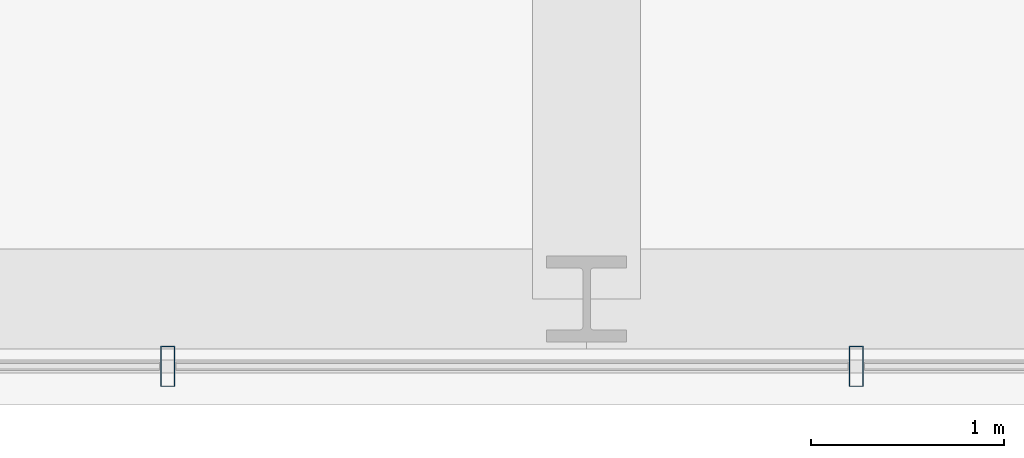
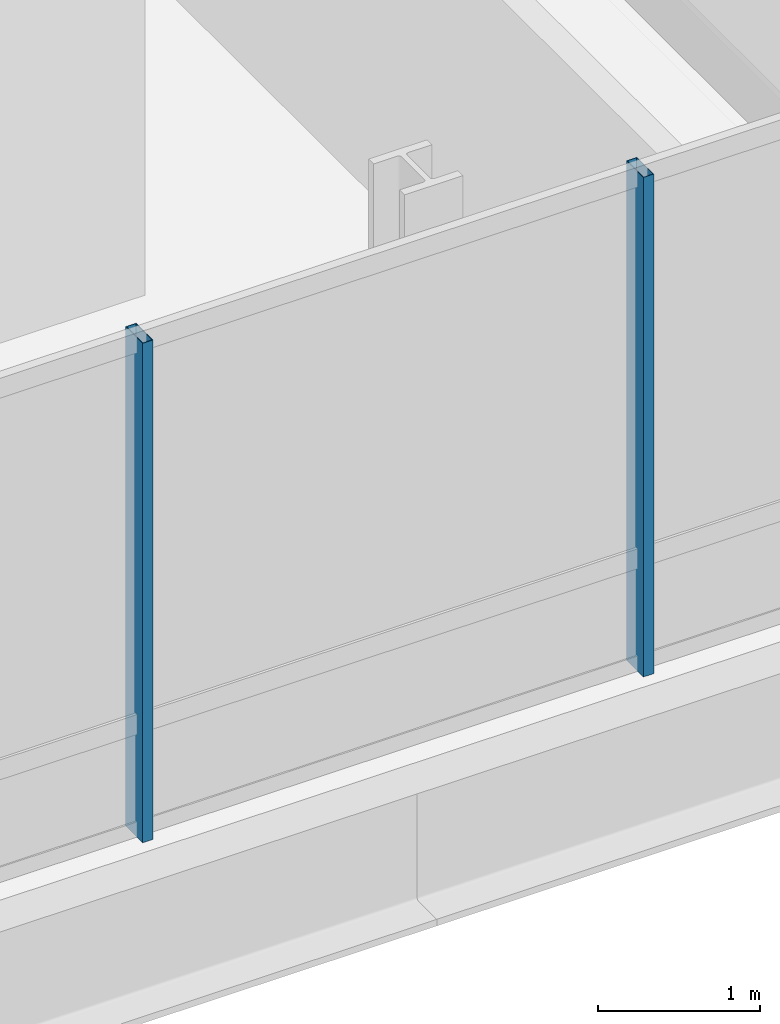
# One storey, part 5 of 45: 2 members, 1 element without a shape of its own.
"""IFC4 building model written with IfcOpenShell, lengths in metres."""

from ifc_helpers import new_model, si_unit, direction, frame, origin, origin_2d, place, context, subcontext, project, spatial, hollow_rectangle, extrude, material, material_profile, profile_set, type_object, element, aggregate, save


model = new_model("IFC4")

# Units and contexts
model_context = context("Model", 3, precision=1e-05, world=origin(), true_north=direction((0.0, 1.0)))
body_context = subcontext(model_context, "Body", "Model", "MODEL_VIEW")
ifc_project = project(units=[si_unit("LENGTHUNIT", "METRE"), si_unit("AREAUNIT", "SQUARE_METRE"), si_unit("VOLUMEUNIT", "CUBIC_METRE"), si_unit("PLANEANGLEUNIT", "RADIAN"), si_unit("MASSUNIT", "GRAM", prefix="KILO")], contexts=[model_context])

# Site, building, storey
site_placement = place(None, origin())
site = spatial("IfcSite", under=ifc_project, at=site_placement, CompositionType="ELEMENT")
building_placement = place(site_placement, origin())
building = spatial("IfcBuilding", under=site, at=building_placement, Name="Punatoya Terracotta Tower", CompositionType="ELEMENT")
storey_placement = place(building_placement, frame((0.0, 0.0, 56.550048828125)))
storey = spatial("IfcBuildingStorey", under=building, at=storey_placement, Name="L12", CompositionType="ELEMENT", Elevation=56.550048828125)

# Curtain wall, members
ifc_material_1 = material(Name="Aluminium 6063-T6 + Double Low-E Glass", Category="aluminium")
curtain_wall_type = type_object("IfcCurtainWallType", Name="CW-M1", PredefinedType="NOTDEFINED", material=ifc_material_1)
curtain_wall_placement = place(storey_placement, origin())
curtain_wall = element("IfcCurtainWall", 1, at=curtain_wall_placement, inside=storey, type_object=curtain_wall_type, Name="L12 Curtain Wall CW-L12-S01-1", PredefinedType="NOTDEFINED")
ifc_material_2 = material(Name="Aluminium 6063-T6", Category="aluminium")
ifc_material_profile = material_profile(ifc_material_2, hollow_rectangle(XDim=0.074951171875, YDim=0.2099609375, WallThickness=0.00439453125, at=origin_2d()))
ifc_profile_set = profile_set([ifc_material_profile], Name="Aluminium 6063-T6")
member_type = type_object("IfcMemberType", Name="CW-MUL-M1", PredefinedType="MULLION", material=ifc_profile_set)
member_1_placement = place(storey_placement, frame((-5.97509765625, -23.25, 0.0), z_axis=(0.0, 0.0, 1.0), x_axis=(1.0, 0.0, 0.0)))
member_1 = element("IfcMember", 2, at=member_1_placement, type_object=member_type, Name="CW-L12-S01-1 Mullion 03", PredefinedType="MULLION", context=body_context, shape_type="SweptSolid", body=[
    extrude(hollow_rectangle(XDim=0.074951171875, YDim=0.2099609375, WallThickness=0.00439453125, at=origin_2d()), origin(), (0.0, 0.0, 1.0), 3.77001953125),
])
member_2_placement = place(storey_placement, frame((-2.39990234375, -23.25, 0.0), z_axis=(0.0, 0.0, 1.0), x_axis=(1.0, 0.0, 0.0)))
member_2 = element("IfcMember", 3, at=member_2_placement, type_object=member_type, Name="CW-L12-S01-1 Mullion 04", PredefinedType="MULLION", context=body_context, shape_type="SweptSolid", body=[
    extrude(hollow_rectangle(XDim=0.074951171875, YDim=0.2099609375, WallThickness=0.00439453125, at=origin_2d()), origin(), (0.0, 0.0, 1.0), 3.77001953125),
])
aggregate(curtain_wall, [member_1, member_2])

save(model, "model.ifc")
